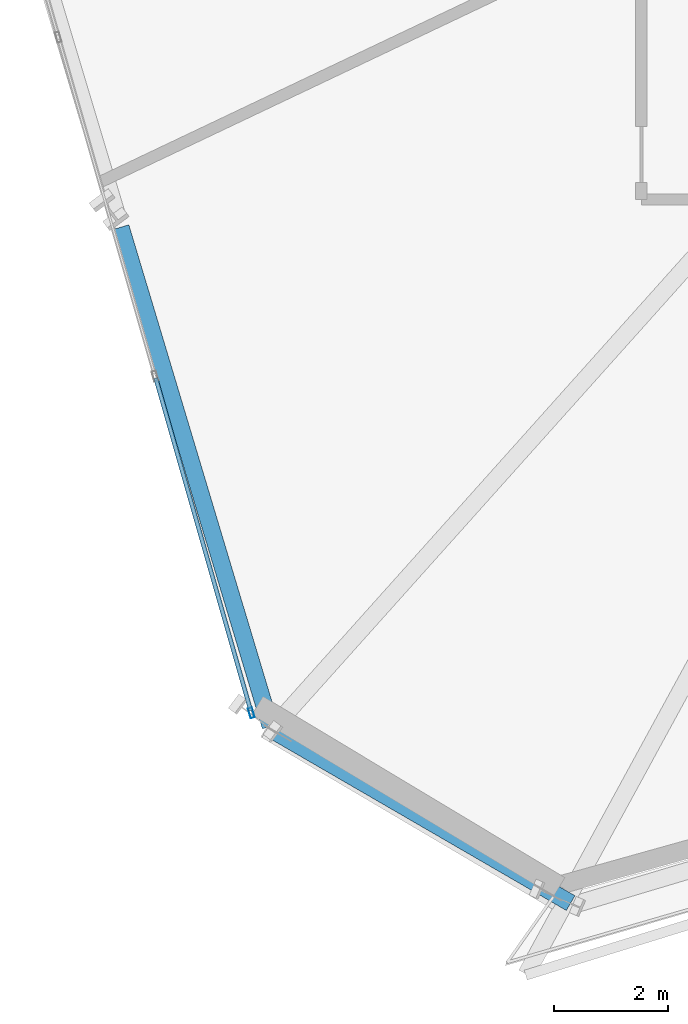
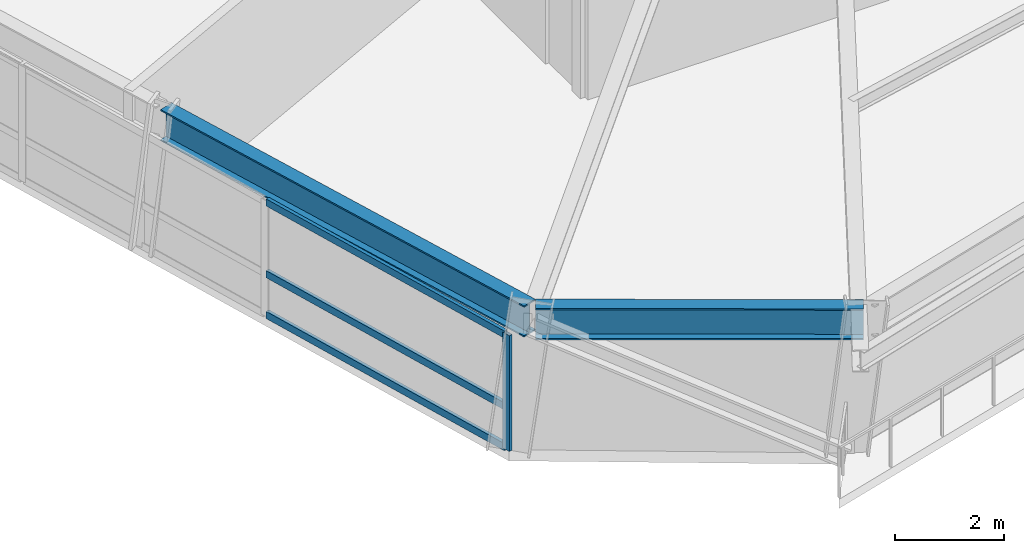
# One storey, part 2 of 21: 4 members, 2 beams, 1 element without a shape of its own.
"""IFC4 building model written with IfcOpenShell, lengths in metres."""

import ifcopenshell
import ifcopenshell.guid

model = None  # the IFC model being written
_history = None  # IfcOwnerHistory: only IFC2X3 demands one
_inside = {}  # id of a spatial element -> (the spatial element, [elements in it])
_under = {}  # id of a project, library or spatial element -> (it, [spatial elements below it])
_declared = {}  # id of a project -> (the project, [libraries it declares])
_typed = {}  # id of a type object -> (the type object, [elements of that type])
_made_of = {}  # id of a material, layer set ... -> (it, [elements and type objects made of it])


def new_model(schema):
    """Start an empty IFC model of exactly this schema.

    Asked for "IFC4X3", IfcOpenShell would pick the latest addendum, in which some entities
    have other attributes; the version numbers below select the first issue.
    IFC2X3 requires an IfcOwnerHistory on every rooted entity: one is made here for all.
    """
    global model, _history
    if schema == "IFC4X3":
        model = ifcopenshell.file(schema_version=(4, 3, 0, 0))
    else:
        model = ifcopenshell.file(schema=schema)
    _inside.clear()
    _under.clear()
    _declared.clear()
    _typed.clear()
    _made_of.clear()
    _history = None
    if model.schema == "IFC2X3":
        org = make("IfcOrganization", Name="unknown")
        user = make(
            "IfcPersonAndOrganization",
            ThePerson=make("IfcPerson", FamilyName="unknown"),
            TheOrganization=org,
        )
        app = make(
            "IfcApplication",
            ApplicationDeveloper=org,
            Version="unknown",
            ApplicationFullName="unknown",
            ApplicationIdentifier="unknown",
        )
        _history = make(
            "IfcOwnerHistory",
            OwningUser=user,
            OwningApplication=app,
            ChangeAction="ADDED",
            CreationDate=0,
        )
    return model


def make(cls, **values):
    """One entity of the class cls with the attributes given. An attribute that is None is left unset."""
    return model.create_entity(
        cls, **{name: value for name, value in values.items() if value is not None}
    )


def rooted(cls, **values):
    """An entity with a GlobalId (a new one), such as an element, a storey or a relation."""
    return make(cls, GlobalId=ifcopenshell.guid.new(), OwnerHistory=_history, **values)


def si_unit(unit_type, name, prefix=None):
    """IfcSIUnit, for example si_unit("LENGTHUNIT", "METRE", prefix="MILLI")."""
    return make("IfcSIUnit", UnitType=unit_type, Prefix=prefix, Name=name)


def assignment(units):
    """IfcUnitAssignment: the units of a project."""
    return None if units is None else make("IfcUnitAssignment", Units=units)


def point(xyz):
    """IfcCartesianPoint."""
    return None if xyz is None else make("IfcCartesianPoint", Coordinates=xyz)


def direction(xyz):
    """IfcDirection."""
    return None if xyz is None else make("IfcDirection", DirectionRatios=xyz)


def frame(location, z_axis=None, x_axis=None):
    """IfcAxis2Placement3D, a coordinate frame: its origin and axes. An axis left out is left unset."""
    return make(
        "IfcAxis2Placement3D",
        Location=point(location),
        Axis=direction(z_axis),
        RefDirection=direction(x_axis),
    )


def frame_2d(location, x_axis=None):
    """IfcAxis2Placement2D, a coordinate frame in the plane: its origin and x axis."""
    return make(
        "IfcAxis2Placement2D", Location=point(location), RefDirection=direction(x_axis)
    )


def origin():
    """The frame at (0, 0, 0) with its axes left unset."""
    return frame((0.0, 0.0, 0.0))


def origin_2d():
    """The frame at (0, 0) in the plane with its x axis left unset."""
    return frame_2d((0.0, 0.0))


def place(relative_to, where):
    """IfcLocalPlacement: puts the frame where relative to a parent placement (None: the world)."""
    return make(
        "IfcLocalPlacement", PlacementRelTo=relative_to, RelativePlacement=where
    )


def context(
    kind, dimensions, precision=None, world=None, true_north=None, identifier=None
):
    """IfcGeometricRepresentationContext, for example the 3D "Model" context."""
    return make(
        "IfcGeometricRepresentationContext",
        ContextIdentifier=identifier,
        ContextType=kind,
        CoordinateSpaceDimension=dimensions,
        Precision=precision,
        WorldCoordinateSystem=world,
        TrueNorth=true_north,
    )


def subcontext(parent, identifier, kind, view, scale=None):
    """IfcGeometricRepresentationSubContext, for example "Body" below "Model"."""
    return make(
        "IfcGeometricRepresentationSubContext",
        ContextIdentifier=identifier,
        ContextType=kind,
        ParentContext=parent,
        TargetScale=scale,
        TargetView=view,
    )


def project(units=None, contexts=None):
    """IfcProject with its units and contexts."""
    return rooted(
        "IfcProject",
        Name="project",
        RepresentationContexts=contexts,
        UnitsInContext=assignment(units),
    )


def spatial(cls, under=None, at=None, **own):
    """A site, building, storey or space (cls), placed at a placement, below another one or the project."""
    s = rooted(cls, ObjectPlacement=at, **own)
    if under is not None:
        _under.setdefault(under.id(), (under, []))[1].append(s)
    return s


def profile(cls, at=None, kind="AREA", **sizes):
    """A parametric profile (cls). Its sizes go by their IFC names, for example OverallWidth=200.0."""
    return make(cls, ProfileType=kind, Position=at, **sizes)


def hollow_rectangle(**sizes):
    """IfcRectangleHollowProfileDef."""
    return profile("IfcRectangleHollowProfileDef", **sizes)


def i_section(**sizes):
    """IfcIShapeProfileDef."""
    return profile("IfcIShapeProfileDef", **sizes)


def extrude(swept, where, along, depth):
    """IfcExtrudedAreaSolid: the profile swept, set in the frame where, extruded along a direction by depth."""
    return make(
        "IfcExtrudedAreaSolid",
        SweptArea=swept,
        Position=where,
        ExtrudedDirection=direction(along),
        Depth=depth,
    )


def shape(context_of_items, identifier, shape_type, items):
    """IfcShapeRepresentation: the items that make up one representation, for example the "Body"."""
    return make(
        "IfcShapeRepresentation",
        ContextOfItems=context_of_items,
        RepresentationIdentifier=identifier,
        RepresentationType=shape_type,
        Items=items,
    )


def source(mapping_origin, context_of_items, identifier, shape_type, items):
    """IfcRepresentationMap: a shape defined once, which mapped items show again and again."""
    return make(
        "IfcRepresentationMap",
        MappingOrigin=mapping_origin,
        MappedRepresentation=shape(context_of_items, identifier, shape_type, items),
    )


def transform(
    local_origin,
    x_axis=None,
    y_axis=None,
    z_axis=None,
    scale=None,
    scale2=None,
    scale3=None,
    uniform=True,
):
    """IfcCartesianTransformationOperator3D, or its non-uniform kind. x_axis, y_axis, z_axis: its Axis1, 2, 3."""
    if uniform:
        return make(
            "IfcCartesianTransformationOperator3D",
            Axis1=direction(x_axis),
            Axis2=direction(y_axis),
            LocalOrigin=point(local_origin),
            Scale=scale,
            Axis3=direction(z_axis),
        )
    return make(
        "IfcCartesianTransformationOperator3DnonUniform",
        Axis1=direction(x_axis),
        Axis2=direction(y_axis),
        LocalOrigin=point(local_origin),
        Scale=scale,
        Axis3=direction(z_axis),
        Scale2=scale2,
        Scale3=scale3,
    )


def mapped(mapping_source, mapping_target):
    """IfcMappedItem: shows the shape of a source again, moved by a transform."""
    return make(
        "IfcMappedItem", MappingSource=mapping_source, MappingTarget=mapping_target
    )


def material(Name=None, Category=None):
    """IfcMaterial."""
    return make("IfcMaterial", Name=Name, Category=Category)


def material_profile(
    of_material, cross_section, Name=None, Category=None, Priority=None
):
    """IfcMaterialProfile: a cross section and its material."""
    return make(
        "IfcMaterialProfile",
        Name=Name,
        Material=of_material,
        Profile=cross_section,
        Priority=Priority,
        Category=Category,
    )


def profile_set(profiles, Name=None, composite=None):
    """IfcMaterialProfileSet."""
    return make(
        "IfcMaterialProfileSet",
        Name=Name,
        MaterialProfiles=profiles,
        CompositeProfile=composite,
    )


def made_of(thing, what):
    """Note that an element or type object is made of a material, layer set ...; save() writes the relation."""
    if what is not None:
        _made_of.setdefault(what.id(), (what, []))[1].append(thing)
    return thing


def type_object(cls, material=None, **own):
    """A type object (cls), such as IfcWallType, which elements share."""
    return made_of(rooted(cls, **own), material)


def element(
    cls,
    number,
    at=None,
    inside=None,
    cuts=None,
    type_object=None,
    material=None,
    context=None,
    identifier="Body",
    shape_type=None,
    held_by="IfcProductDefinitionShape",
    body=None,
    shapes=None,
    **own,
):
    """One element of the class cls, such as IfcWall. Its Tag is "e" and its number.

    at: its placement. inside: the storey or other place that contains it. cuts: it is an
    opening in that element (IfcRelVoidsElement). A single representation is given by context,
    identifier, shape_type and body (its items); several are given by shapes. held_by: the class
    of the entity that holds the representations. save() writes the other relations.
    """
    e = rooted(cls, Tag="e%d" % number, ObjectPlacement=at, **own)
    if body is not None:
        shapes = [shape(context, identifier, shape_type, body)]
    if shapes is not None:
        e.Representation = make(held_by, Representations=shapes)
    if inside is not None:
        _inside.setdefault(inside.id(), (inside, []))[1].append(e)
    if cuts is not None:
        rooted(
            "IfcRelVoidsElement", RelatingBuildingElement=cuts, RelatedOpeningElement=e
        )
    if type_object is not None:
        _typed.setdefault(type_object.id(), (type_object, []))[1].append(e)
    return made_of(e, material)


def aggregate(whole, parts):
    """IfcRelAggregates: a whole, such as a stair, and the parts it consists of."""
    return rooted("IfcRelAggregates", RelatingObject=whole, RelatedObjects=parts)


def save(model, path):
    """Write the relations noted so far, then the file.

    IfcRelAggregates (storeys below a building ...), IfcRelContainedInSpatialStructure (elements
    in a storey), IfcRelDefinesByType, IfcRelAssociatesMaterial and IfcRelDeclares: one each for
    every whole, place, type object, material and project.
    """
    for whole, parts in _under.values():
        aggregate(whole, parts)
    for where, things in _inside.values():
        rooted(
            "IfcRelContainedInSpatialStructure",
            RelatedElements=things,
            RelatingStructure=where,
        )
    for kind, things in _typed.values():
        rooted("IfcRelDefinesByType", RelatedObjects=things, RelatingType=kind)
    for what, things in _made_of.values():
        rooted("IfcRelAssociatesMaterial", RelatedObjects=things, RelatingMaterial=what)
    for by, libraries in _declared.values():
        rooted("IfcRelDeclares", RelatingContext=by, RelatedDefinitions=libraries)
    model.write(path)


model = new_model("IFC4")

# Units and contexts
model_context = context("Model", 3, precision=1e-05, world=origin(), true_north=direction((0.0, 1.0)))
body_context = subcontext(model_context, "Body", "Model", "MODEL_VIEW")
ifc_project = project(units=[si_unit("LENGTHUNIT", "METRE"), si_unit("AREAUNIT", "SQUARE_METRE"), si_unit("VOLUMEUNIT", "CUBIC_METRE"), si_unit("PLANEANGLEUNIT", "RADIAN"), si_unit("MASSUNIT", "GRAM", prefix="KILO")], contexts=[model_context])

# Site, building, storey
site_placement = place(None, origin())
site = spatial("IfcSite", under=ifc_project, at=site_placement, CompositionType="ELEMENT")
building_placement = place(site_placement, origin())
building = spatial("IfcBuilding", under=site, at=building_placement, Name="Olszyna Solenne Hotel", CompositionType="ELEMENT")
storey_placement = place(building_placement, frame((0.0, 0.0, 47.050048828125)))
storey = spatial("IfcBuildingStorey", under=building, at=storey_placement, Name="L11", CompositionType="ELEMENT", Elevation=47.050048828125)

# Beams
ifc_material_1 = material(Name="Steel S355J2", Category="steel")
ifc_material_profile_1 = material_profile(ifc_material_1, i_section(OverallWidth=0.300048828125, OverallDepth=0.699951171875, WebThickness=0.01708984375, FlangeThickness=0.031982421875, at=origin_2d()), Name="HEB 700", Category="load-bearing")
ifc_profile_set_1 = profile_set([ifc_material_profile_1], Name="Steel S355J2")
beam_type = type_object("IfcBeamType", Name="BM-S1", PredefinedType="BEAM", material=ifc_profile_set_1)
shared_shape_1 = source(origin(), body_context, "Body", "SweptSolid", [
    extrude(i_section(OverallWidth=0.300048828125, OverallDepth=0.699951171875, WebThickness=0.01708984375, FlangeThickness=0.031982421875, at=origin_2d()), origin(), (0.0, 0.0, 1.0), 9.15234375),
])
beam_1_placement = place(storey_placement, frame((18.1552734375, 16.212158203125, 2.949951171875), z_axis=(0.287482484166, -0.957785895332, 0.0), x_axis=(0.957785895332, 0.287482484166, 0.0)))
element("IfcBeam", 1, at=beam_1_placement, inside=storey, type_object=beam_type, Name="Perimeter spandrel beam BM-S1 B-L11-0354", PredefinedType="BEAM", context=body_context, shape_type="MappedRepresentation", body=[
    mapped(shared_shape_1, transform((0.0, 0.0, 0.0), x_axis=(1.0, 0.0, 0.0), y_axis=(0.0, 1.0, 0.0), z_axis=(0.0, 0.0, 1.0), scale=1.0)),
])
shared_shape_2 = source(origin(), body_context, "Body", "SweptSolid", [
    extrude(i_section(OverallWidth=0.300048828125, OverallDepth=0.699951171875, WebThickness=0.01708984375, FlangeThickness=0.031982421875, at=origin_2d()), origin(), (0.0, 0.0, 1.0), 6.01220703125),
])
beam_2_placement = place(storey_placement, frame((20.85546875, 7.358642578125, 2.949951171875), z_axis=(0.865152768979, -0.501508411025, 0.0), x_axis=(0.501508411025, 0.865152768979, 0.0)))
element("IfcBeam", 2, at=beam_2_placement, inside=storey, type_object=beam_type, Name="Perimeter spandrel beam BM-S1 B-L11-0355", PredefinedType="BEAM", context=body_context, shape_type="MappedRepresentation", body=[
    mapped(shared_shape_2, transform((0.0, 0.0, 0.0), x_axis=(1.0, 0.0, 0.0), y_axis=(0.0, 1.0, 0.0), z_axis=(0.0, 0.0, 1.0), scale=1.0)),
])

# Curtain wall, members
ifc_material_2 = material(Name="Anodised bronze aluminium", Category="aluminium")
curtain_wall_type = type_object("IfcCurtainWallType", Name="CW-SYS-2", PredefinedType="NOTDEFINED", material=ifc_material_2)
curtain_wall_placement = place(storey_placement, origin())
curtain_wall = element("IfcCurtainWall", 3, at=curtain_wall_placement, inside=storey, type_object=curtain_wall_type, Name="Unitised curtain wall CW-SYS-2 CW-L11-01", PredefinedType="NOTDEFINED")
ifc_material_profile_2 = material_profile(ifc_material_2, hollow_rectangle(XDim=0.074951171875, YDim=0.179931640625, WallThickness=0.00439453125, at=origin_2d()), Name="MULL 180x75x4.5", Category="load-bearing")
ifc_profile_set_2 = profile_set([ifc_material_profile_2], Name="Anodised bronze aluminium")
member_type_1 = type_object("IfcMemberType", Name="CW-M2", PredefinedType="MULLION", material=ifc_profile_set_2)
shared_shape_3 = source(origin(), body_context, "Body", "SweptSolid", [
    extrude(hollow_rectangle(XDim=0.074951171875, YDim=0.179931640625, WallThickness=0.00439453125, at=origin_2d()), origin(), (0.0, 0.0, 1.0), 2.592041015625),
])
member_1_placement = place(storey_placement, frame((20.449951171875, 7.6845703125, 0.0), z_axis=(0.0, 0.0, 1.0), x_axis=(0.961508499917, 0.274775189179, 0.0)))
member_1 = element("IfcMember", 4, at=member_1_placement, type_object=member_type_1, Name="Curtain-wall mullion CW-M2 CM-L11-01-04", PredefinedType="MULLION", context=body_context, shape_type="MappedRepresentation", body=[
    mapped(shared_shape_3, transform((0.0, 0.0, 0.0), x_axis=(1.0, 0.0, 0.0), y_axis=(0.0, 1.0, 0.0), z_axis=(0.0, 0.0, 1.0), scale=1.0)),
])
ifc_material_profile_3 = material_profile(ifc_material_2, hollow_rectangle(XDim=0.074951171875, YDim=0.159912109375, WallThickness=0.00390625, at=origin_2d()), Name="TRAN 160x75x4", Category="load-bearing")
ifc_profile_set_3 = profile_set([ifc_material_profile_3], Name="Anodised bronze aluminium")
member_type_2 = type_object("IfcMemberType", Name="CW-T1", PredefinedType="USERDEFINED", material=ifc_profile_set_3)
shared_shape_4 = source(origin(), body_context, "Body", "SweptSolid", [
    extrude(hollow_rectangle(XDim=0.074951171875, YDim=0.159912109375, WallThickness=0.00390625, at=origin_2d()), origin(), (0.0, 0.0, 1.0), 6.076416015625),
])
member_2_placement = place(storey_placement, frame((18.77001953125, 13.563232421875, 0.037353515625), z_axis=(0.274779499661, -0.961507268078, 0.0), x_axis=(0.961507268078, 0.274779499661, 0.0)))
member_2 = element("IfcMember", 5, at=member_2_placement, type_object=member_type_2, Name="Curtain-wall transom CW-T1 CT-L11-01-07", ObjectType="TRANSOM", PredefinedType="USERDEFINED", context=body_context, shape_type="MappedRepresentation", body=[
    mapped(shared_shape_4, transform((0.0, 0.0, 0.0), x_axis=(1.0, 0.0, 0.0), y_axis=(0.0, 1.0, 0.0), z_axis=(0.0, 0.0, 1.0), scale=1.0)),
])
member_3_placement = place(storey_placement, frame((18.77001953125, 13.563232421875, 0.949951171875), z_axis=(0.274779499661, -0.961507268078, 0.0), x_axis=(0.961507268078, 0.274779499661, 0.0)))
member_3 = element("IfcMember", 6, at=member_3_placement, type_object=member_type_2, Name="Curtain-wall transom CW-T1 CT-L11-01-08", ObjectType="TRANSOM", PredefinedType="USERDEFINED", context=body_context, shape_type="MappedRepresentation", body=[
    mapped(shared_shape_4, transform((0.0, 0.0, 0.0), x_axis=(1.0, 0.0, 0.0), y_axis=(0.0, 1.0, 0.0), z_axis=(0.0, 0.0, 1.0), scale=1.0)),
])
member_4_placement = place(storey_placement, frame((18.77001953125, 13.563232421875, 2.554443359375), z_axis=(0.274779499661, -0.961507268078, 0.0), x_axis=(0.961507268078, 0.274779499661, 0.0)))
member_4 = element("IfcMember", 7, at=member_4_placement, type_object=member_type_2, Name="Curtain-wall transom CW-T1 CT-L11-01-09", ObjectType="TRANSOM", PredefinedType="USERDEFINED", context=body_context, shape_type="MappedRepresentation", body=[
    mapped(shared_shape_4, transform((0.0, 0.0, 0.0), x_axis=(1.0, 0.0, 0.0), y_axis=(0.0, 1.0, 0.0), z_axis=(0.0, 0.0, 1.0), scale=1.0)),
])
aggregate(curtain_wall, [member_1, member_2, member_3, member_4])

save(model, "model.ifc")
